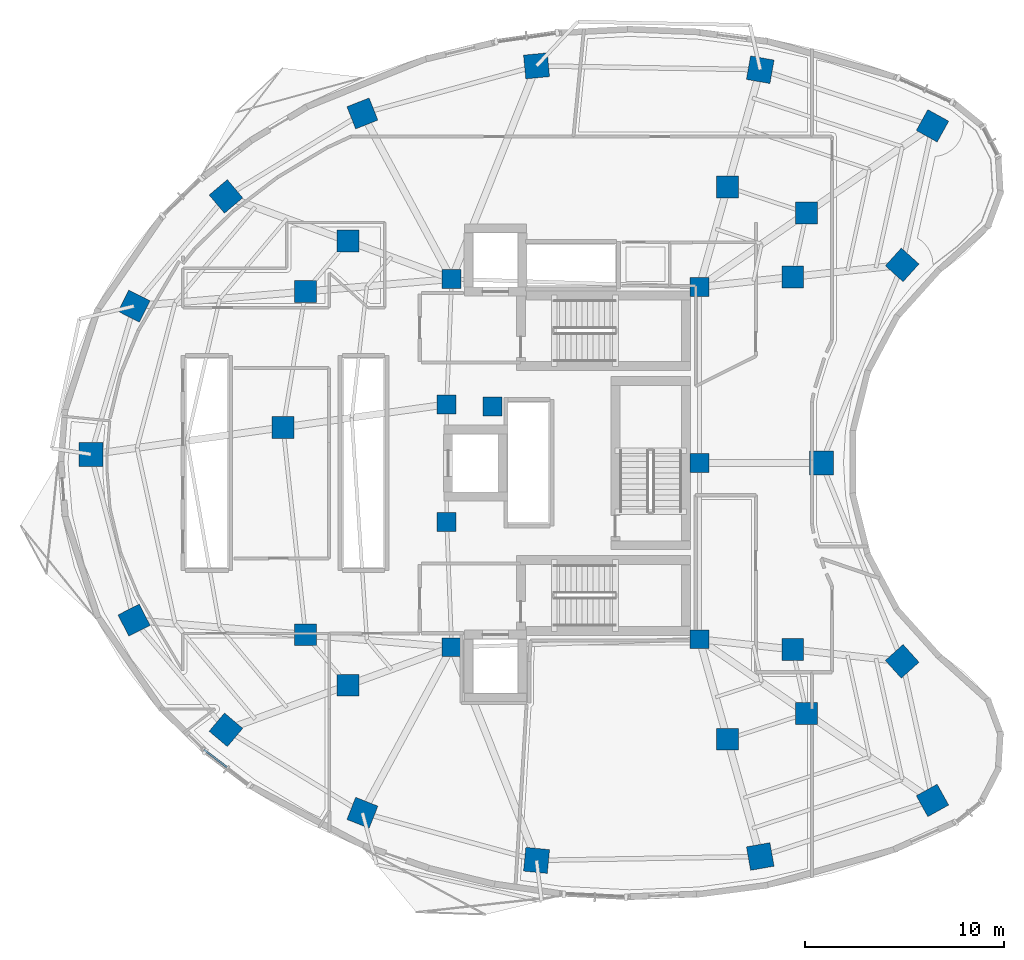
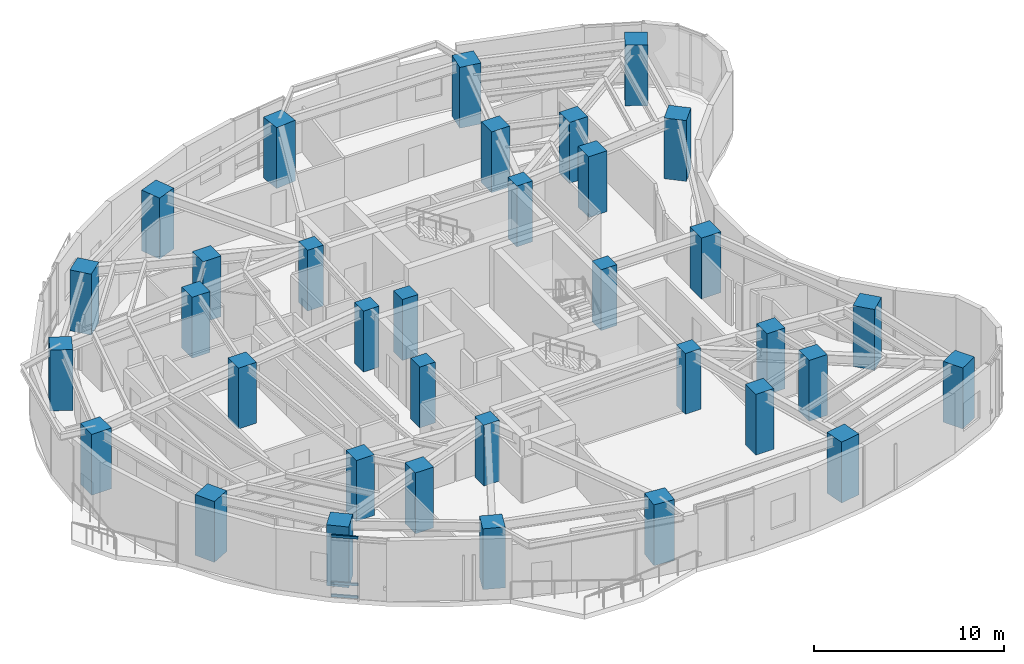
# One storey, part 1 of 13: 35 columns, 3 members, 1 element without a shape of its own.
"""IFC4 building model written with IfcOpenShell, lengths in metres."""

from ifc_helpers import new_model, si_unit, direction, frame, origin, origin_2d, place, context, subcontext, project, spatial, rectangle, extrude, material, layer, layer_set, material_profile, profile_set, type_object, element, aggregate, save


model = new_model("IFC4")

# Units and contexts
model_context = context("Model", 3, precision=1e-05, world=origin(), true_north=direction((0.0, 1.0)))
body_context = subcontext(model_context, "Body", "Model", "MODEL_VIEW")
ifc_project = project(units=[si_unit("LENGTHUNIT", "METRE"), si_unit("AREAUNIT", "SQUARE_METRE"), si_unit("VOLUMEUNIT", "CUBIC_METRE"), si_unit("PLANEANGLEUNIT", "RADIAN"), si_unit("MASSUNIT", "GRAM", prefix="KILO")], contexts=[model_context])

# Site, building, storey
site_placement = place(None, origin())
site = spatial("IfcSite", under=ifc_project, at=site_placement, CompositionType="ELEMENT")
building_placement = place(site_placement, origin())
building = spatial("IfcBuilding", under=site, at=building_placement, Name="Korentha Bioscience Tower", CompositionType="ELEMENT")
storey_placement = place(building_placement, frame((0.0, 0.0, 140.39990234375)))
storey = spatial("IfcBuildingStorey", under=building, at=storey_placement, Name="L32", CompositionType="ELEMENT", Elevation=140.39990234375)

# Columns
ifc_material_1 = material(Name="Concrete C65", Category="concrete")
ifc_material_profile_1 = material_profile(ifc_material_1, rectangle(XDim=0.949951171875, YDim=0.949951171875, at=origin_2d()), Name="Concrete C65")
ifc_profile_set_1 = profile_set([ifc_material_profile_1], Name="Concrete C65 (COL-CP09)")
column_type_1 = type_object("IfcColumnType", Name="Core Pilaster Column RC 950x950", PredefinedType="PILASTER", material=ifc_profile_set_1)
for number, where, z_axis, x_axis, name in (
    (1, (37.550048828125, 35.85009765625, -0.00048828125), (0.0, 0.0, 1.0), (1.0, 0.0, 0.0), "L32 Core Pilaster CP-01"),
    (2, (25.10009765625, 36.25, -0.00048828125), (0.0, 0.0, 1.0), (1.0, 0.0, 0.0), "L32 Core Pilaster CP-02"),
    (3, (24.85009765625, 29.949951171875, -0.00048828125), (0.0, 0.0, 1.0), (1.0, 0.0, 0.0), "L32 Core Pilaster CP-03"),
    (4, (27.14990234375, 29.85009765625, -0.00048828125), (0.0, 0.0, 1.0), (1.0, 0.0, 0.0), "L32 Core Pilaster CP-04"),
    (5, (24.85009765625, 24.050048828125, -0.00048828125), (0.0, 0.0, 1.0), (1.0, 0.0, 0.0), "L32 Core Pilaster CP-05"),
    (6, (25.10009765625, 17.75, -0.00048828125), (0.0, 0.0, 1.0), (1.0, 0.0, 0.0), "L32 Core Pilaster CP-06"),
    (7, (37.550048828125, 18.14990234375, -0.00048828125), (0.0, 0.0, 1.0), (1.0, 0.0, 0.0), "L32 Core Pilaster CP-07"),
    (8, (37.550048828125, 27.0, -0.00048828125), (0.0, 0.0, 1.0), (1.0, 0.0, 0.0), "L32 Core Pilaster CP-08"),
):
    element("IfcColumn", number, at=place(storey_placement, frame(where, z_axis=z_axis, x_axis=x_axis)), inside=storey, type_object=column_type_1, Name=name, PredefinedType="PILASTER", context=body_context, shape_type="SweptSolid", body=[
        extrude(rectangle(XDim=0.949951171875, YDim=0.949951171875, at=origin_2d()), origin(), (0.0, 0.0, 1.0), 3.901123046875),
    ])
ifc_material_2 = material(Name="Concrete C80", Category="concrete")
ifc_material_profile_2 = material_profile(ifc_material_2, rectangle(XDim=1.10009765625, YDim=1.10009765625, at=origin_2d()), Name="Concrete C80")
ifc_profile_set_2 = profile_set([ifc_material_profile_2], Name="Concrete C80 (COL-MR11)")
column_type_2 = type_object("IfcColumnType", Name="Mid-Ring Lab Column RC 1100x1100", PredefinedType="COLUMN", material=ifc_profile_set_2)
for number, where, z_axis, x_axis, name in (
    (9, (42.93603515625, 39.57470703125, -0.00048828125), (0.0, 0.0, 1.0), (1.0, 0.0, 0.0), "L32 Mid-Ring Column 01"),
    (10, (38.954833984375, 40.870849609375, -0.00048828125), (0.0, 0.0, 1.0), (1.0, 0.0, 0.0), "L32 Mid-Ring Column 02"),
    (11, (19.882568359375, 38.158935546875, -0.00048828125), (0.0, 0.0, 1.0), (1.0, 0.0, 0.0), "L32 Mid-Ring Column 05"),
    (12, (17.75927734375, 35.6240234375, -0.00048828125), (0.0, 0.0, 1.0), (1.0, 0.0, 0.0), "L32 Mid-Ring Column 06"),
    (13, (16.627197265625, 28.796630859375, -0.00048828125), (0.0, 0.0, 1.0), (1.0, 0.0, 0.0), "L32 Mid-Ring Column 07"),
    (14, (17.75927734375, 18.3759765625, -0.00048828125), (0.0, 0.0, 1.0), (1.0, 0.0, 0.0), "L32 Mid-Ring Column 08"),
    (15, (19.882568359375, 15.841064453125, -0.00048828125), (0.0, 0.0, 1.0), (1.0, 0.0, 0.0), "L32 Mid-Ring Column 09"),
    (16, (38.954833984375, 13.129150390625, -0.00048828125), (0.0, 0.0, 1.0), (1.0, 0.0, 0.0), "L32 Mid-Ring Column 12"),
    (17, (42.93603515625, 14.42529296875, -0.00048828125), (0.0, 0.0, 1.0), (1.0, 0.0, 0.0), "L32 Mid-Ring Column 13"),
    (18, (42.235595703125, 17.639404296875, -0.00048828125), (0.0, 0.0, 1.0), (1.0, 0.0, 0.0), "L32 Mid-Ring Column 14"),
    (19, (42.235595703125, 36.360595703125, -0.00048828125), (0.0, 0.0, 1.0), (1.0, 0.0, 0.0), "L32 Mid-Ring Column 16"),
):
    element("IfcColumn", number, at=place(storey_placement, frame(where, z_axis=z_axis, x_axis=x_axis)), inside=storey, type_object=column_type_2, Name=name, PredefinedType="COLUMN", context=body_context, shape_type="SweptSolid", body=[
        extrude(rectangle(XDim=1.10009765625, YDim=1.10009765625, at=origin_2d()), origin(), (0.0, 0.0, 1.0), 3.901123046875),
    ])
ifc_material_profile_3 = material_profile(ifc_material_2, rectangle(XDim=1.199951171875, YDim=1.199951171875, at=origin_2d()), Name="Concrete C80")
ifc_profile_set_3 = profile_set([ifc_material_profile_3], Name="Concrete C80 (COL-P12)")
column_type_3 = type_object("IfcColumnType", Name="Perimeter Column RC 1200x1200", PredefinedType="COLUMN", material=ifc_profile_set_3)
for number, where, z_axis, x_axis, name in (
    (20, (49.2587890625, 43.947021484375, -0.00048828125), (0.0, 0.0, 1.0), (-0.874535078577, 0.484962262797, 0.0), "L32 Perimeter Column 01"),
    (21, (40.604248046875, 46.764892578125, -0.00048828125), (0.0, 0.0, 1.0), (-0.984868307662, 0.173304404339, 0.0), "L32 Perimeter Column 02"),
    (22, (29.3642578125, 46.959228515625, -0.00048828125), (0.0, 0.0, 1.0), (0.995462868748, 0.095150811579, 0.0), "L32 Perimeter Column 03"),
    (23, (20.614990234375, 44.5693359375, -0.00048828125), (0.0, 0.0, 1.0), (0.930225540858, 0.366988341962, 0.0), "L32 Perimeter Column 04"),
    (24, (13.7578125, 40.400146484375, -0.00048828125), (0.0, 0.0, 1.0), (0.764246456939, 0.644924300253, 0.0), "L32 Perimeter Column 05"),
    (25, (9.141845703125, 34.889404296875, -0.00048828125), (0.0, 0.0, 1.0), (0.453057191132, 0.891481453292, 0.0), "L32 Perimeter Column 06"),
    (26, (6.97412109375, 27.4423828125, -0.00048828125), (0.0, 0.0, 1.0), (0.0, 1.0, 0.0), "L32 Perimeter Column 07"),
    (27, (9.141845703125, 19.110595703125, -0.00048828125), (0.0, 0.0, 1.0), (-0.453057191132, 0.891481453292, 0.0), "L32 Perimeter Column 08"),
    (28, (13.7578125, 13.599853515625, -0.00048828125), (0.0, 0.0, 1.0), (-0.764246456939, 0.644924300253, 0.0), "L32 Perimeter Column 09"),
    (29, (20.614990234375, 9.4306640625, -0.00048828125), (0.0, 0.0, 1.0), (-0.930225540858, 0.366988341962, 0.0), "L32 Perimeter Column 10"),
    (30, (29.3642578125, 7.040771484375, -0.00048828125), (0.0, 0.0, 1.0), (-0.995462868748, 0.095150811579, 0.0), "L32 Perimeter Column 11"),
    (31, (40.604248046875, 7.235107421875, -0.00048828125), (0.0, 0.0, 1.0), (0.984868307662, 0.173304404339, 0.0), "L32 Perimeter Column 12"),
    (32, (49.2587890625, 10.052978515625, -0.00048828125), (0.0, 0.0, 1.0), (0.874535078577, 0.484962262797, 0.0), "L32 Perimeter Column 13"),
    (33, (47.736083984375, 17.040283203125, -0.00048828125), (0.0, 0.0, 1.0), (-0.669130606359, 0.743144825477, 0.0), "L32 Perimeter Column 14"),
    (34, (43.680908203125, 27.0, -0.00048828125), (0.0, 0.0, 1.0), (0.0, 1.0, 0.0), "L32 Perimeter Column 15"),
    (35, (47.736083984375, 36.959716796875, -0.00048828125), (0.0, 0.0, 1.0), (0.669130606359, 0.743144825477, 0.0), "L32 Perimeter Column 16"),
):
    element("IfcColumn", number, at=place(storey_placement, frame(where, z_axis=z_axis, x_axis=x_axis)), inside=storey, type_object=column_type_3, Name=name, PredefinedType="COLUMN", context=body_context, shape_type="SweptSolid", body=[
        extrude(rectangle(XDim=1.199951171875, YDim=1.199951171875, at=origin_2d()), origin(), (0.0, 0.0, 1.0), 3.901123046875),
    ])

# Curtain wall, members
ifc_material_3 = material(Name="Thermally Broken Aluminium Frame", Category="aluminium")
ifc_layer = layer(ifc_material_3, 0.219970703125, Name="Thermally Broken Aluminium Frame")
ifc_layer_set = layer_set([ifc_layer], Name="Thermally Broken Aluminium Frame (CW-T2)")
curtain_wall_type = type_object("IfcCurtainWallType", Name="Solar-Screened Lab Unitised Curtain Wall CW-T2", PredefinedType="USERDEFINED", material=ifc_layer_set)
curtain_wall_placement = place(storey_placement, origin())
curtain_wall = element("IfcCurtainWall", 36, at=curtain_wall_placement, inside=storey, type_object=curtain_wall_type, Name="L32 Curtain Wall 25", ObjectType="UNITISED", PredefinedType="USERDEFINED")
ifc_material_4 = material(Name="Anodised Aluminium 6063-T6", Category="aluminium")
ifc_material_profile_4 = material_profile(ifc_material_4, rectangle(XDim=0.090087890625, YDim=0.159912109375, at=origin_2d()), Name="Anodised Aluminium 6063-T6")
ifc_profile_set_4 = profile_set([ifc_material_profile_4], Name="Anodised Aluminium 6063-T6 (CW-TRN)")
member_type = type_object("IfcMemberType", Name="Transom RECT 90x160", PredefinedType="USERDEFINED", material=ifc_profile_set_4)
member_1_placement = place(storey_placement, frame((12.659912109375, 12.601318359375, 0.045166015625), z_axis=(0.794559026989, -0.607186917374, 0.0), x_axis=(0.607186917374, 0.794559026989, 0.0)))
member_1 = element("IfcMember", 37, at=member_1_placement, type_object=member_type, Name="CW-L32-25 Bay 1 Transom 1", ObjectType="TRANSOM", PredefinedType="USERDEFINED", context=body_context, shape_type="SweptSolid", body=[
    extrude(rectangle(XDim=0.090087890625, YDim=0.159912109375, at=origin_2d()), origin(), (0.0, 0.0, 1.0), 1.4462890625),
])
member_2_placement = place(storey_placement, frame((12.659912109375, 12.601318359375, 0.85009765625), z_axis=(0.794559026989, -0.607186917374, 0.0), x_axis=(0.607186917374, 0.794559026989, 0.0)))
member_2 = element("IfcMember", 38, at=member_2_placement, type_object=member_type, Name="CW-L32-25 Bay 1 Transom 2", ObjectType="TRANSOM", PredefinedType="USERDEFINED", context=body_context, shape_type="SweptSolid", body=[
    extrude(rectangle(XDim=0.090087890625, YDim=0.159912109375, at=origin_2d()), origin(), (0.0, 0.0, 1.0), 1.4462890625),
])
member_3_placement = place(storey_placement, frame((12.659912109375, 12.601318359375, 3.85498046875), z_axis=(0.794559026989, -0.607186917374, 0.0), x_axis=(0.607186917374, 0.794559026989, 0.0)))
member_3 = element("IfcMember", 39, at=member_3_placement, type_object=member_type, Name="CW-L32-25 Bay 1 Transom 3", ObjectType="TRANSOM", PredefinedType="USERDEFINED", context=body_context, shape_type="SweptSolid", body=[
    extrude(rectangle(XDim=0.090087890625, YDim=0.159912109375, at=origin_2d()), origin(), (0.0, 0.0, 1.0), 1.4462890625),
])
aggregate(curtain_wall, [member_1, member_2, member_3])

save(model, "model.ifc")
